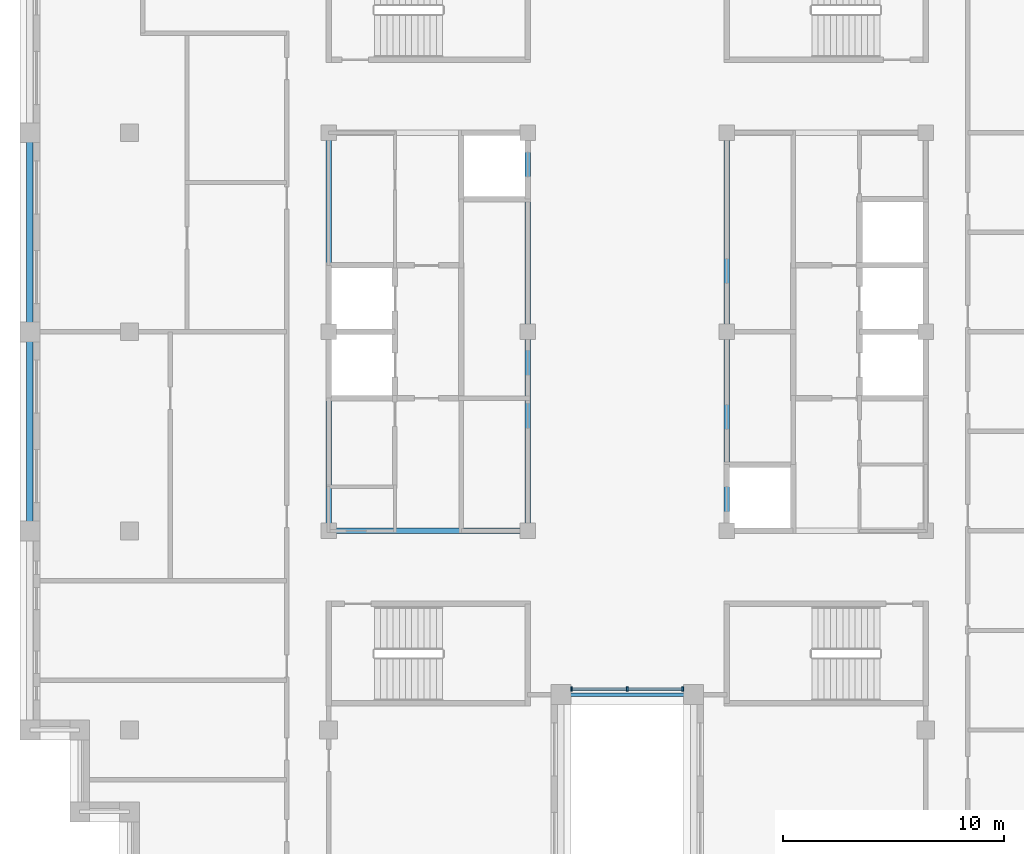
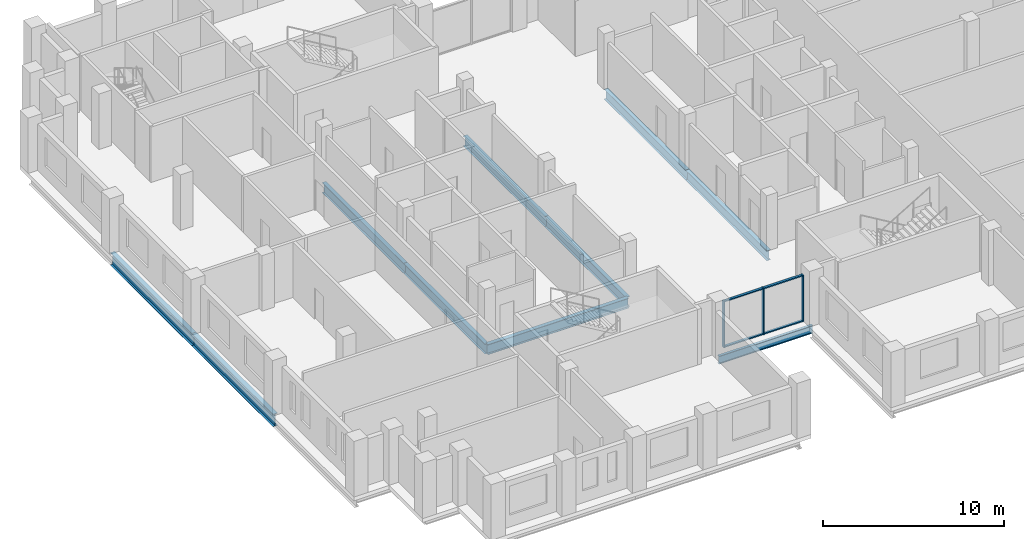
# One storey, part 2 of 13: 10 beams, 7 members, 1 element without a shape of its own.
"""IFC4 building model written with IfcOpenShell, lengths in metres."""

from ifc_helpers import new_model, si_unit, direction, frame, origin, origin_2d, place, context, subcontext, project, spatial, rectangle, i_section, extrude, material, layer, layer_set, material_profile, profile_set, type_object, element, aggregate, save


model = new_model("IFC4")

# Units and contexts
model_context = context("Model", 3, precision=1e-05, world=origin(), true_north=direction((0.0, 1.0)))
body_context = subcontext(model_context, "Body", "Model", "MODEL_VIEW")
ifc_project = project(units=[si_unit("LENGTHUNIT", "METRE"), si_unit("AREAUNIT", "SQUARE_METRE"), si_unit("VOLUMEUNIT", "CUBIC_METRE"), si_unit("PLANEANGLEUNIT", "RADIAN"), si_unit("MASSUNIT", "GRAM", prefix="KILO")], contexts=[model_context])

# Site, building, storey
site_placement = place(None, origin())
site = spatial("IfcSite", under=ifc_project, at=site_placement, CompositionType="ELEMENT")
building_placement = place(site_placement, origin())
building = spatial("IfcBuilding", under=site, at=building_placement, Name="Corbelhall Arena Tower", CompositionType="ELEMENT")
storey_placement = place(building_placement, frame((0.0, 0.0, 338.0)))
storey = spatial("IfcBuildingStorey", under=building, at=storey_placement, Name="L74", CompositionType="ELEMENT", Elevation=338.0)

# Curtain wall, members
ifc_material_1 = material(Name="Aluminium black anodised", Category="aluminium")
ifc_layer = layer(ifc_material_1, 0.199951171875)
ifc_layer_set = layer_set([ifc_layer], Name="EV-CW1 Slot back wall")
curtain_wall_type = type_object("IfcCurtainWallType", Name="EV-CW1 Slot back wall", PredefinedType="NOTDEFINED", material=ifc_layer_set)
curtain_wall_placement = place(storey_placement, origin())
curtain_wall = element("IfcCurtainWall", 1, at=curtain_wall_placement, inside=storey, type_object=curtain_wall_type, Name="Curtain wall CW1", PredefinedType="NOTDEFINED")
ifc_material_profile_1 = material_profile(ifc_material_1, rectangle(XDim=0.199951171875, YDim=0.074951171875, at=origin_2d()))
ifc_profile_set_1 = profile_set([ifc_material_profile_1], Name="Aluminium black anodised")
member_type_1 = type_object("IfcMemberType", Name="EV-CW1-MULLION", PredefinedType="MULLION", material=ifc_profile_set_1)
member_1_placement = place(storey_placement, frame((-2.512451171875, -16.14990234375, 0.0), z_axis=(0.0, 0.0, 1.0), x_axis=(0.0, 1.0, 0.0)))
member_1 = element("IfcMember", 2, at=member_1_placement, type_object=member_type_1, Name="CW1 mullion 1", PredefinedType="MULLION", context=body_context, shape_type="SweptSolid", body=[
    extrude(rectangle(XDim=0.199951171875, YDim=0.074951171875, at=origin_2d()), origin(), (0.0, 0.0, 1.0), 3.139892578125),
])
member_2_placement = place(storey_placement, frame((0.0, -16.14990234375, 0.0), z_axis=(0.0, 0.0, 1.0), x_axis=(0.0, 1.0, 0.0)))
member_2 = element("IfcMember", 3, at=member_2_placement, type_object=member_type_1, Name="CW1 mullion 2", PredefinedType="MULLION", context=body_context, shape_type="SweptSolid", body=[
    extrude(rectangle(XDim=0.199951171875, YDim=0.074951171875, at=origin_2d()), origin(), (0.0, 0.0, 1.0), 3.139892578125),
])
member_3_placement = place(storey_placement, frame((2.512451171875, -16.14990234375, 0.0), z_axis=(0.0, 0.0, 1.0), x_axis=(0.0, 1.0, 0.0)))
member_3 = element("IfcMember", 4, at=member_3_placement, type_object=member_type_1, Name="CW1 mullion 3", PredefinedType="MULLION", context=body_context, shape_type="SweptSolid", body=[
    extrude(rectangle(XDim=0.199951171875, YDim=0.074951171875, at=origin_2d()), origin(), (0.0, 0.0, 1.0), 3.139892578125),
])
ifc_material_profile_2 = material_profile(ifc_material_1, rectangle(XDim=0.14990234375, YDim=0.074951171875, at=origin_2d()))
ifc_profile_set_2 = profile_set([ifc_material_profile_2], Name="Aluminium black anodised")
member_type_2 = type_object("IfcMemberType", Name="EV-CW1-TRANSOM", PredefinedType="USERDEFINED", material=ifc_profile_set_2)
member_4_placement = place(storey_placement, frame((-2.47509765625, -16.14990234375, 0.03759765625), z_axis=(1.0, 0.0, 0.0), x_axis=(0.0, 1.0, 0.0)))
member_4 = element("IfcMember", 5, at=member_4_placement, type_object=member_type_2, Name="CW1 transom 1.1", ObjectType="transom", PredefinedType="USERDEFINED", context=body_context, shape_type="SweptSolid", body=[
    extrude(rectangle(XDim=0.14990234375, YDim=0.074951171875, at=origin_2d()), origin(), (0.0, 0.0, 1.0), 2.4375),
])
member_5_placement = place(storey_placement, frame((-2.47509765625, -16.14990234375, 3.1025390625), z_axis=(1.0, 0.0, 0.0), x_axis=(0.0, 1.0, 0.0)))
member_5 = element("IfcMember", 6, at=member_5_placement, type_object=member_type_2, Name="CW1 transom 1.2", ObjectType="transom", PredefinedType="USERDEFINED", context=body_context, shape_type="SweptSolid", body=[
    extrude(rectangle(XDim=0.14990234375, YDim=0.074951171875, at=origin_2d()), origin(), (0.0, 0.0, 1.0), 2.4375),
])
member_6_placement = place(storey_placement, frame((0.03759765625, -16.14990234375, 0.03759765625), z_axis=(1.0, 0.0, 0.0), x_axis=(0.0, 1.0, 0.0)))
member_6 = element("IfcMember", 7, at=member_6_placement, type_object=member_type_2, Name="CW1 transom 2.1", ObjectType="transom", PredefinedType="USERDEFINED", context=body_context, shape_type="SweptSolid", body=[
    extrude(rectangle(XDim=0.14990234375, YDim=0.074951171875, at=origin_2d()), origin(), (0.0, 0.0, 1.0), 2.4375),
])
member_7_placement = place(storey_placement, frame((0.03759765625, -16.14990234375, 3.1025390625), z_axis=(1.0, 0.0, 0.0), x_axis=(0.0, 1.0, 0.0)))
member_7 = element("IfcMember", 8, at=member_7_placement, type_object=member_type_2, Name="CW1 transom 2.2", ObjectType="transom", PredefinedType="USERDEFINED", context=body_context, shape_type="SweptSolid", body=[
    extrude(rectangle(XDim=0.14990234375, YDim=0.074951171875, at=origin_2d()), origin(), (0.0, 0.0, 1.0), 2.4375),
])
aggregate(curtain_wall, [member_1, member_2, member_3, member_4, member_5, member_6, member_7])

# Beams
ifc_material_2 = material(Name="Steel ASTM A992 Gr50", Category="steel")
ifc_material_profile_3 = material_profile(ifc_material_2, i_section(OverallWidth=0.25390625, OverallDepth=0.67822265625, WebThickness=0.01171875, FlangeThickness=0.016357421875, at=origin_2d()))
ifc_profile_set_3 = profile_set([ifc_material_profile_3], Name="Steel ASTM A992 Gr50")
beam_type_1 = type_object("IfcBeamType", Name="ST-BEAM-W27x84", PredefinedType="BEAM", material=ifc_profile_set_3)
for number, where, z_axis, x_axis, name in (
    (9, (-13.5, -9.0, -0.59912109375), (0.0, 1.0, 0.0), (-1.0, 0.0, 0.0), "Beam CEW 1"),
    (10, (-13.5, 0.0, -0.59912109375), (0.0, 1.0, 0.0), (-1.0, 0.0, 0.0), "Beam CEW 2"),
    (11, (-4.5, -9.0, -0.59912109375), (0.0, 1.0, 0.0), (-1.0, 0.0, 0.0), "Beam CEW 3"),
    (12, (-4.5, 0.0, -0.59912109375), (0.0, 1.0, 0.0), (-1.0, 0.0, 0.0), "Beam CEW 4"),
    (13, (-13.5, -9.0, -0.59912109375), (1.0, 0.0, 0.0), (0.0, 1.0, 0.0), "Beam CEW 5"),
    (14, (4.5, -9.0, -0.59912109375), (0.0, 1.0, 0.0), (-1.0, 0.0, 0.0), "Beam CEE 7"),
    (15, (4.5, 0.0, -0.59912109375), (0.0, 1.0, 0.0), (-1.0, 0.0, 0.0), "Beam CEE 8"),
):
    element("IfcBeam", number, at=place(storey_placement, frame(where, z_axis=z_axis, x_axis=x_axis)), inside=storey, type_object=beam_type_1, Name=name, PredefinedType="BEAM", context=body_context, shape_type="SweptSolid", body=[
        extrude(i_section(OverallWidth=0.25390625, OverallDepth=0.67822265625, WebThickness=0.01171875, FlangeThickness=0.016357421875, at=origin_2d()), origin(), (0.0, 0.0, 1.0), 9.0),
    ])
ifc_material_profile_4 = material_profile(ifc_material_2, i_section(OverallWidth=0.16650390625, OverallDepth=0.535888671875, WebThickness=0.01025390625, FlangeThickness=0.0166015625, at=origin_2d()))
ifc_profile_set_4 = profile_set([ifc_material_profile_4], Name="Steel ASTM A992 Gr50")
beam_type_2 = type_object("IfcBeamType", Name="ST-SPANDREL-W21x57", PredefinedType="SPANDREL", material=ifc_profile_set_4)
beam_placement = place(storey_placement, frame((3.0, -16.39990234375, -0.528076171875), z_axis=(-1.0, 0.0, 0.0), x_axis=(0.0, -1.0, 0.0)))
element("IfcBeam", 16, at=beam_placement, inside=storey, type_object=beam_type_2, Name="Beam SP 33", PredefinedType="SPANDREL", context=body_context, shape_type="SweptSolid", body=[
    extrude(i_section(OverallWidth=0.16650390625, OverallDepth=0.535888671875, WebThickness=0.01025390625, FlangeThickness=0.0166015625, at=origin_2d()), origin(), (0.0, 0.0, 1.0), 6.0),
])
ifc_material_profile_5 = material_profile(ifc_material_2, i_section(OverallWidth=0.2919921875, OverallDepth=0.845703125, WebThickness=0.015380859375, FlangeThickness=0.0244140625, at=origin_2d()))
ifc_profile_set_5 = profile_set([ifc_material_profile_5], Name="Steel ASTM A992 Gr50")
beam_type_3 = type_object("IfcBeamType", Name="ST-SPANDREL-W33x141", PredefinedType="SPANDREL", material=ifc_profile_set_5)
for number, where, z_axis, x_axis, name in (
    (17, (-27.0, 0.0, -0.682861328125), (0.0, 1.0, 0.0), (-1.0, 0.0, 0.0), "Beam SP 26"),
    (18, (-27.0, -9.0, -0.682861328125), (0.0, 1.0, 0.0), (-1.0, 0.0, 0.0), "Beam SP 29"),
):
    element("IfcBeam", number, at=place(storey_placement, frame(where, z_axis=z_axis, x_axis=x_axis)), inside=storey, type_object=beam_type_3, Name=name, PredefinedType="SPANDREL", context=body_context, shape_type="SweptSolid", body=[
        extrude(i_section(OverallWidth=0.2919921875, OverallDepth=0.845703125, WebThickness=0.015380859375, FlangeThickness=0.0244140625, at=origin_2d()), origin(), (0.0, 0.0, 1.0), 9.0),
    ])

save(model, "model.ifc")
